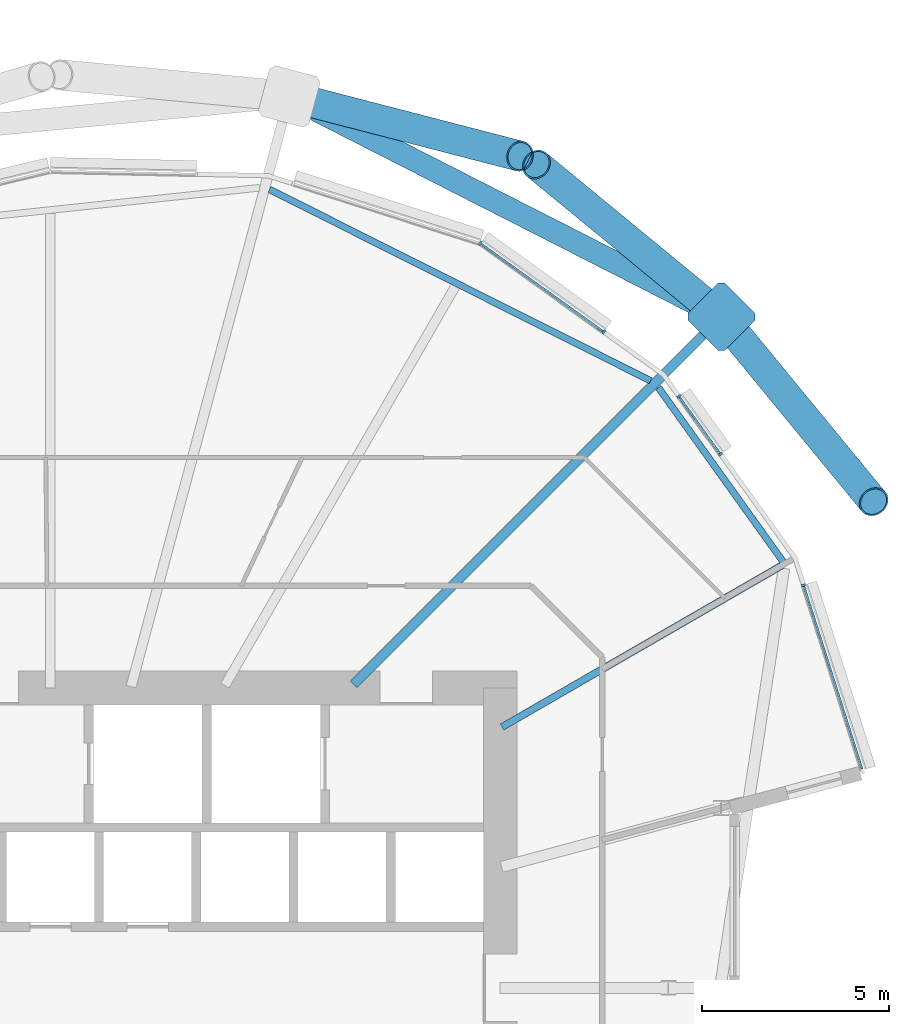
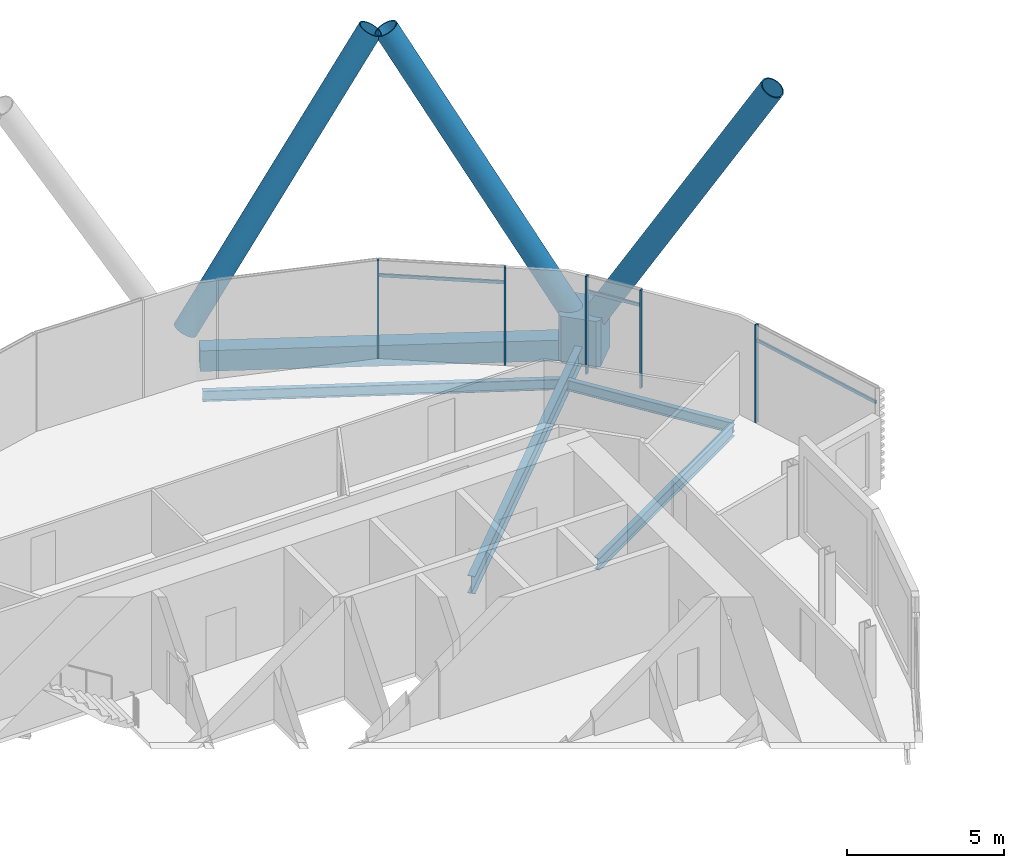
# One storey, part 21 of 40: 12 members, 5 beams, 1 element without a shape of its own.
"""IFC4 building model written with IfcOpenShell, lengths in metres."""

import ifcopenshell
import ifcopenshell.guid

model = None  # the IFC model being written
_history = None  # IfcOwnerHistory: only IFC2X3 demands one
_inside = {}  # id of a spatial element -> (the spatial element, [elements in it])
_under = {}  # id of a project, library or spatial element -> (it, [spatial elements below it])
_declared = {}  # id of a project -> (the project, [libraries it declares])
_typed = {}  # id of a type object -> (the type object, [elements of that type])
_made_of = {}  # id of a material, layer set ... -> (it, [elements and type objects made of it])


def new_model(schema):
    """Start an empty IFC model of exactly this schema.

    Asked for "IFC4X3", IfcOpenShell would pick the latest addendum, in which some entities
    have other attributes; the version numbers below select the first issue.
    IFC2X3 requires an IfcOwnerHistory on every rooted entity: one is made here for all.
    """
    global model, _history
    if schema == "IFC4X3":
        model = ifcopenshell.file(schema_version=(4, 3, 0, 0))
    else:
        model = ifcopenshell.file(schema=schema)
    _inside.clear()
    _under.clear()
    _declared.clear()
    _typed.clear()
    _made_of.clear()
    _history = None
    if model.schema == "IFC2X3":
        org = make("IfcOrganization", Name="unknown")
        user = make(
            "IfcPersonAndOrganization",
            ThePerson=make("IfcPerson", FamilyName="unknown"),
            TheOrganization=org,
        )
        app = make(
            "IfcApplication",
            ApplicationDeveloper=org,
            Version="unknown",
            ApplicationFullName="unknown",
            ApplicationIdentifier="unknown",
        )
        _history = make(
            "IfcOwnerHistory",
            OwningUser=user,
            OwningApplication=app,
            ChangeAction="ADDED",
            CreationDate=0,
        )
    return model


def make(cls, **values):
    """One entity of the class cls with the attributes given. An attribute that is None is left unset."""
    return model.create_entity(
        cls, **{name: value for name, value in values.items() if value is not None}
    )


def rooted(cls, **values):
    """An entity with a GlobalId (a new one), such as an element, a storey or a relation."""
    return make(cls, GlobalId=ifcopenshell.guid.new(), OwnerHistory=_history, **values)


def si_unit(unit_type, name, prefix=None):
    """IfcSIUnit, for example si_unit("LENGTHUNIT", "METRE", prefix="MILLI")."""
    return make("IfcSIUnit", UnitType=unit_type, Prefix=prefix, Name=name)


def assignment(units):
    """IfcUnitAssignment: the units of a project."""
    return None if units is None else make("IfcUnitAssignment", Units=units)


def point(xyz):
    """IfcCartesianPoint."""
    return None if xyz is None else make("IfcCartesianPoint", Coordinates=xyz)


def direction(xyz):
    """IfcDirection."""
    return None if xyz is None else make("IfcDirection", DirectionRatios=xyz)


def frame(location, z_axis=None, x_axis=None):
    """IfcAxis2Placement3D, a coordinate frame: its origin and axes. An axis left out is left unset."""
    return make(
        "IfcAxis2Placement3D",
        Location=point(location),
        Axis=direction(z_axis),
        RefDirection=direction(x_axis),
    )


def frame_2d(location, x_axis=None):
    """IfcAxis2Placement2D, a coordinate frame in the plane: its origin and x axis."""
    return make(
        "IfcAxis2Placement2D", Location=point(location), RefDirection=direction(x_axis)
    )


def origin():
    """The frame at (0, 0, 0) with its axes left unset."""
    return frame((0.0, 0.0, 0.0))


def origin_2d():
    """The frame at (0, 0) in the plane with its x axis left unset."""
    return frame_2d((0.0, 0.0))


def place(relative_to, where):
    """IfcLocalPlacement: puts the frame where relative to a parent placement (None: the world)."""
    return make(
        "IfcLocalPlacement", PlacementRelTo=relative_to, RelativePlacement=where
    )


def context(
    kind, dimensions, precision=None, world=None, true_north=None, identifier=None
):
    """IfcGeometricRepresentationContext, for example the 3D "Model" context."""
    return make(
        "IfcGeometricRepresentationContext",
        ContextIdentifier=identifier,
        ContextType=kind,
        CoordinateSpaceDimension=dimensions,
        Precision=precision,
        WorldCoordinateSystem=world,
        TrueNorth=true_north,
    )


def subcontext(parent, identifier, kind, view, scale=None):
    """IfcGeometricRepresentationSubContext, for example "Body" below "Model"."""
    return make(
        "IfcGeometricRepresentationSubContext",
        ContextIdentifier=identifier,
        ContextType=kind,
        ParentContext=parent,
        TargetScale=scale,
        TargetView=view,
    )


def project(units=None, contexts=None):
    """IfcProject with its units and contexts."""
    return rooted(
        "IfcProject",
        Name="project",
        RepresentationContexts=contexts,
        UnitsInContext=assignment(units),
    )


def spatial(cls, under=None, at=None, **own):
    """A site, building, storey or space (cls), placed at a placement, below another one or the project."""
    s = rooted(cls, ObjectPlacement=at, **own)
    if under is not None:
        _under.setdefault(under.id(), (under, []))[1].append(s)
    return s


def polyline(points):
    """IfcPolyline through the points."""
    return make("IfcPolyline", Points=[point(p) for p in points])


def profile(cls, at=None, kind="AREA", **sizes):
    """A parametric profile (cls). Its sizes go by their IFC names, for example OverallWidth=200.0."""
    return make(cls, ProfileType=kind, Position=at, **sizes)


def rectangle(**sizes):
    """IfcRectangleProfileDef."""
    return profile("IfcRectangleProfileDef", **sizes)


def hollow_rectangle(**sizes):
    """IfcRectangleHollowProfileDef."""
    return profile("IfcRectangleHollowProfileDef", **sizes)


def hollow_circle(**sizes):
    """IfcCircleHollowProfileDef."""
    return profile("IfcCircleHollowProfileDef", **sizes)


def i_section(**sizes):
    """IfcIShapeProfileDef."""
    return profile("IfcIShapeProfileDef", **sizes)


def outline(outer, holes=None, kind="AREA"):
    """IfcArbitraryClosedProfileDef: a profile drawn as a closed curve; with holes, ...WithVoids."""
    if holes is None:
        return make("IfcArbitraryClosedProfileDef", ProfileType=kind, OuterCurve=outer)
    return make(
        "IfcArbitraryProfileDefWithVoids",
        ProfileType=kind,
        OuterCurve=outer,
        InnerCurves=holes,
    )


def extrude(swept, where, along, depth):
    """IfcExtrudedAreaSolid: the profile swept, set in the frame where, extruded along a direction by depth."""
    return make(
        "IfcExtrudedAreaSolid",
        SweptArea=swept,
        Position=where,
        ExtrudedDirection=direction(along),
        Depth=depth,
    )


def shape(context_of_items, identifier, shape_type, items):
    """IfcShapeRepresentation: the items that make up one representation, for example the "Body"."""
    return make(
        "IfcShapeRepresentation",
        ContextOfItems=context_of_items,
        RepresentationIdentifier=identifier,
        RepresentationType=shape_type,
        Items=items,
    )


def material(Name=None, Category=None):
    """IfcMaterial."""
    return make("IfcMaterial", Name=Name, Category=Category)


def material_profile(
    of_material, cross_section, Name=None, Category=None, Priority=None
):
    """IfcMaterialProfile: a cross section and its material."""
    return make(
        "IfcMaterialProfile",
        Name=Name,
        Material=of_material,
        Profile=cross_section,
        Priority=Priority,
        Category=Category,
    )


def profile_set(profiles, Name=None, composite=None):
    """IfcMaterialProfileSet."""
    return make(
        "IfcMaterialProfileSet",
        Name=Name,
        MaterialProfiles=profiles,
        CompositeProfile=composite,
    )


def made_of(thing, what):
    """Note that an element or type object is made of a material, layer set ...; save() writes the relation."""
    if what is not None:
        _made_of.setdefault(what.id(), (what, []))[1].append(thing)
    return thing


def type_object(cls, material=None, **own):
    """A type object (cls), such as IfcWallType, which elements share."""
    return made_of(rooted(cls, **own), material)


def element(
    cls,
    number,
    at=None,
    inside=None,
    cuts=None,
    type_object=None,
    material=None,
    context=None,
    identifier="Body",
    shape_type=None,
    held_by="IfcProductDefinitionShape",
    body=None,
    shapes=None,
    **own,
):
    """One element of the class cls, such as IfcWall. Its Tag is "e" and its number.

    at: its placement. inside: the storey or other place that contains it. cuts: it is an
    opening in that element (IfcRelVoidsElement). A single representation is given by context,
    identifier, shape_type and body (its items); several are given by shapes. held_by: the class
    of the entity that holds the representations. save() writes the other relations.
    """
    e = rooted(cls, Tag="e%d" % number, ObjectPlacement=at, **own)
    if body is not None:
        shapes = [shape(context, identifier, shape_type, body)]
    if shapes is not None:
        e.Representation = make(held_by, Representations=shapes)
    if inside is not None:
        _inside.setdefault(inside.id(), (inside, []))[1].append(e)
    if cuts is not None:
        rooted(
            "IfcRelVoidsElement", RelatingBuildingElement=cuts, RelatedOpeningElement=e
        )
    if type_object is not None:
        _typed.setdefault(type_object.id(), (type_object, []))[1].append(e)
    return made_of(e, material)


def aggregate(whole, parts):
    """IfcRelAggregates: a whole, such as a stair, and the parts it consists of."""
    return rooted("IfcRelAggregates", RelatingObject=whole, RelatedObjects=parts)


def save(model, path):
    """Write the relations noted so far, then the file.

    IfcRelAggregates (storeys below a building ...), IfcRelContainedInSpatialStructure (elements
    in a storey), IfcRelDefinesByType, IfcRelAssociatesMaterial and IfcRelDeclares: one each for
    every whole, place, type object, material and project.
    """
    for whole, parts in _under.values():
        aggregate(whole, parts)
    for where, things in _inside.values():
        rooted(
            "IfcRelContainedInSpatialStructure",
            RelatedElements=things,
            RelatingStructure=where,
        )
    for kind, things in _typed.values():
        rooted("IfcRelDefinesByType", RelatedObjects=things, RelatingType=kind)
    for what, things in _made_of.values():
        rooted("IfcRelAssociatesMaterial", RelatedObjects=things, RelatingMaterial=what)
    for by, libraries in _declared.values():
        rooted("IfcRelDeclares", RelatingContext=by, RelatedDefinitions=libraries)
    model.write(path)


model = new_model("IFC4")

# Units and contexts
model_context = context("Model", 3, precision=1e-05, world=origin(), true_north=direction((0.0, 1.0)))
body_context = subcontext(model_context, "Body", "Model", "MODEL_VIEW")
ifc_project = project(units=[si_unit("LENGTHUNIT", "METRE"), si_unit("AREAUNIT", "SQUARE_METRE"), si_unit("VOLUMEUNIT", "CUBIC_METRE"), si_unit("PLANEANGLEUNIT", "RADIAN"), si_unit("MASSUNIT", "GRAM", prefix="KILO")], contexts=[model_context])

# Site, building, storey
site_placement = place(None, origin())
site = spatial("IfcSite", under=ifc_project, at=site_placement, CompositionType="ELEMENT")
building_placement = place(site_placement, origin())
building = spatial("IfcBuilding", under=site, at=building_placement, Name="Rimbun Link Towers", CompositionType="ELEMENT")
storey_placement = place(building_placement, frame((0.0, 0.0, 52.800048828125)))
storey = spatial("IfcBuildingStorey", under=building, at=storey_placement, Name="L12", CompositionType="ELEMENT", Elevation=52.800048828125)

# Curtain wall, members
ifc_material_1 = material(Name="Aluminium 6063-T6 and low-iron glass", Category="aluminium")
curtain_wall_type = type_object("IfcCurtainWallType", Name="CW1 unitised vision wall", PredefinedType="NOTDEFINED", material=ifc_material_1)
curtain_wall_placement = place(storey_placement, origin())
curtain_wall = element("IfcCurtainWall", 1, at=curtain_wall_placement, inside=storey, type_object=curtain_wall_type, Name="CW1 L12 T2", PredefinedType="NOTDEFINED")
ifc_material_2 = material(Name="Aluminium 6063-T6", Category="aluminium")
ifc_material_profile_1 = material_profile(ifc_material_2, rectangle(XDim=0.1201171875, YDim=0.06005859375, at=origin_2d()), Name="MULLION 60X120")
ifc_profile_set_1 = profile_set([ifc_material_profile_1], Name="Aluminium 6063-T6")
member_type_1 = type_object("IfcMemberType", Name="CW1 mullion 60X120", PredefinedType="MULLION", material=ifc_profile_set_1)
member_1_placement = place(storey_placement, frame((43.21533203125, 19.865478515625, 0.0), z_axis=(0.0, 0.0, 1.0), x_axis=(0.448573554472, 0.89374591816, 0.0)))
member_1 = element("IfcMember", 2, at=member_1_placement, type_object=member_type_1, Name="CW1 mullion", PredefinedType="MULLION", context=body_context, shape_type="SweptSolid", body=[
    extrude(rectangle(XDim=0.1201171875, YDim=0.06005859375, at=origin_2d()), origin(), (0.0, 0.0, 1.0), 3.800048828125),
])
member_2_placement = place(storey_placement, frame((46.51416015625, 17.499267578125, 0.0), z_axis=(0.0, 0.0, 1.0), x_axis=(0.583004026034, 0.812469264421, 0.0)))
member_2 = element("IfcMember", 3, at=member_2_placement, type_object=member_type_1, Name="CW1 mullion", PredefinedType="MULLION", context=body_context, shape_type="SweptSolid", body=[
    extrude(rectangle(XDim=0.1201171875, YDim=0.06005859375, at=origin_2d()), origin(), (0.0, 0.0, 1.0), 3.800048828125),
])
member_3_placement = place(storey_placement, frame((51.846435546875, 10.741943359375, 0.0), z_axis=(0.0, 0.0, 1.0), x_axis=(0.952967205153, 0.303073433186, 0.0)))
member_3 = element("IfcMember", 4, at=member_3_placement, type_object=member_type_1, Name="CW1 mullion", PredefinedType="MULLION", context=body_context, shape_type="SweptSolid", body=[
    extrude(rectangle(XDim=0.1201171875, YDim=0.06005859375, at=origin_2d()), origin(), (0.0, 0.0, 1.0), 3.800048828125),
])
member_4_placement = place(storey_placement, frame((48.5205078125, 15.77978515625, 0.0), z_axis=(0.0, 0.0, 1.0), x_axis=(0.812469264421, 0.583004026034, 0.0)))
member_4 = element("IfcMember", 5, at=member_4_placement, type_object=member_type_1, Name="CW1 mullion", PredefinedType="MULLION", context=body_context, shape_type="SweptSolid", body=[
    extrude(rectangle(XDim=0.1201171875, YDim=0.06005859375, at=origin_2d()), origin(), (0.0, 0.0, 1.0), 3.800048828125),
])
member_5_placement = place(storey_placement, frame((49.62841796875, 14.23583984375, 0.0), z_axis=(0.0, 0.0, 1.0), x_axis=(0.812469264421, 0.583004026034, 0.0)))
member_5 = element("IfcMember", 6, at=member_5_placement, type_object=member_type_1, Name="CW1 mullion", PredefinedType="MULLION", context=body_context, shape_type="SweptSolid", body=[
    extrude(rectangle(XDim=0.1201171875, YDim=0.06005859375, at=origin_2d()), origin(), (0.0, 0.0, 1.0), 3.800048828125),
])
ifc_material_3 = material(Name="Aluminium 6063-T6", Category="aluminium")
ifc_material_profile_2 = material_profile(ifc_material_3, rectangle(XDim=0.06005859375, YDim=0.1201171875, at=origin_2d()), Name="TRANSOM 60X120")
ifc_profile_set_2 = profile_set([ifc_material_profile_2], Name="Aluminium 6063-T6")
member_type_2 = type_object("IfcMemberType", Name="CW1 transom 60X120", PredefinedType="USERDEFINED", material=ifc_profile_set_2)
member_6_placement = place(storey_placement, frame((43.24658203125, 19.841552734375, 3.199951171875), z_axis=(0.812479031967, -0.582990413826, 0.0), x_axis=(0.582990413826, 0.812479031967, 0.0)))
member_6 = element("IfcMember", 7, at=member_6_placement, type_object=member_type_2, Name="CW1 transom", ObjectType="TRANSOM", PredefinedType="USERDEFINED", context=body_context, shape_type="SweptSolid", body=[
    extrude(rectangle(XDim=0.06005859375, YDim=0.1201171875, at=origin_2d()), origin(), (0.0, 0.0, 1.0), 3.990478515625),
])
member_7_placement = place(storey_placement, frame((51.853515625, 10.712646484375, 3.199951171875), z_axis=(0.303101253702, -0.95295835691, 0.0), x_axis=(0.95295835691, 0.303101253702, 0.0)))
member_7 = element("IfcMember", 8, at=member_7_placement, type_object=member_type_2, Name="CW1 transom", ObjectType="TRANSOM", PredefinedType="USERDEFINED", context=body_context, shape_type="SweptSolid", body=[
    extrude(rectangle(XDim=0.06005859375, YDim=0.1201171875, at=origin_2d()), origin(), (0.0, 0.0, 1.0), 5.1171875),
])
member_8_placement = place(storey_placement, frame((48.536376953125, 15.75439453125, 3.199951171875), z_axis=(0.582993545844, -0.812476784594, 0.0), x_axis=(0.812476784594, 0.582993545844, 0.0)))
member_8 = element("IfcMember", 9, at=member_8_placement, type_object=member_type_2, Name="CW1 transom", ObjectType="TRANSOM", PredefinedType="USERDEFINED", context=body_context, shape_type="SweptSolid", body=[
    extrude(rectangle(XDim=0.06005859375, YDim=0.1201171875, at=origin_2d()), origin(), (0.0, 0.0, 1.0), 1.840576171875),
])
aggregate(curtain_wall, [member_1, member_2, member_3, member_4, member_5, member_6, member_7, member_8])

# Members
ifc_material_4 = material(Name="Steel S460NH", Category="steel")
ifc_material_profile_3 = material_profile(ifc_material_4, hollow_circle(Radius=0.406494140625, WallThickness=0.0400390625, at=origin_2d()), Name="Diagrid diagonal CHS 813x40")
ifc_profile_set_3 = profile_set([ifc_material_profile_3], Name="Steel S460NH")
member_type_3 = type_object("IfcMemberType", Name="Diagrid diagonal CHS 813x40", PredefinedType="BRACE", material=ifc_profile_set_3)
for number, where, z_axis, x_axis, name in (
    (10, (49.814453125, 17.710205078125, 0.431884765625), (0.319785855763, -0.388896277981, 0.864000400131), (0.772399476438, 0.635137031513, 0.0), "Diagrid diagonal T2 L12-L15 00a"),
    (11, (49.460205078125, 18.064453125, 0.431884765625), (-0.388896277981, 0.319785855763, 0.864000400131), (-0.635137031513, -0.772399476438, 0.0), "Diagrid diagonal T2 L12-L15 00b"),
):
    element("IfcMember", number, at=place(storey_placement, frame(where, z_axis=z_axis, x_axis=x_axis)), inside=storey, type_object=member_type_3, Name=name, PredefinedType="BRACE", context=body_context, shape_type="SweptSolid", body=[
        extrude(hollow_circle(Radius=0.406494140625, WallThickness=0.0400390625, at=origin_2d()), origin(), (0.0, 0.0, 1.0), 12.194580078125),
    ])
member_9_placement = place(storey_placement, frame((38.365234375, 23.71875, 0.432373046875), z_axis=(0.485698138162, -0.125769537283, 0.865031411035), x_axis=(0.250677892024, 0.968070552414, 0.0)))
element("IfcMember", 12, at=member_9_placement, inside=storey, type_object=member_type_3, Name="Diagrid diagonal T2 L12-L15 02a", PredefinedType="BRACE", context=body_context, shape_type="SweptSolid", body=[
    extrude(hollow_circle(Radius=0.406494140625, WallThickness=0.0400390625, at=origin_2d()), origin(), (0.0, 0.0, 1.0), 12.178955078125),
])
ifc_material_5 = material(Name="Cast steel G20Mn5+QT, Rp0.2 300 MPa", Category="steel")
ifc_material_profile_4 = material_profile(ifc_material_5, outline(polyline([(0.699951171875, -0.570068359375), (0.699951171875, 0.570068359375), (0.570068359375, 0.699951171875), (-0.570068359375, 0.699951171875), (-0.699951171875, 0.570068359375), (-0.699951171875, -0.570068359375), (-0.570068359375, -0.699951171875), (0.570068359375, -0.699951171875), (0.699951171875, -0.570068359375)])), Name="NODE 1400x1400")
ifc_profile_set_4 = profile_set([ifc_material_profile_4], Name="Cast steel G20Mn5+QT, Rp0.2 300 MPa")
member_type_4 = type_object("IfcMemberType", Name="Diagrid node cast 1400", PredefinedType="USERDEFINED", material=ifc_profile_set_4)
member_10_placement = place(storey_placement, frame((49.654541015625, 17.904541015625, -0.900146484375), z_axis=(0.0, 0.0, 1.0), x_axis=(0.707106781187, 0.707106781187, 0.0)))
element("IfcMember", 13, at=member_10_placement, inside=storey, type_object=member_type_4, Name="Diagrid node L12 00", ObjectType="Diagrid node", PredefinedType="USERDEFINED", context=body_context, shape_type="SweptSolid", body=[
    extrude(outline(polyline([(0.699951171875, -0.570068359375), (0.699951171875, 0.570068359375), (0.570068359375, 0.699951171875), (-0.570068359375, 0.699951171875), (-0.699951171875, 0.570068359375), (-0.699951171875, -0.570068359375), (-0.570068359375, -0.699951171875), (0.570068359375, -0.699951171875), (0.699951171875, -0.570068359375)])), origin(), (0.0, 0.0, 1.0), 1.800048828125),
])

# Beams
ifc_material_6 = material(Name="Steel S355J2", Category="steel")
ifc_material_profile_5 = material_profile(ifc_material_6, hollow_rectangle(XDim=0.60009765625, YDim=0.800048828125, WallThickness=0.0400390625, at=origin_2d()), Name="Exoskeleton ring girder BOX 600x800x40")
ifc_profile_set_5 = profile_set([ifc_material_profile_5], Name="Steel S355J2")
beam_type_1 = type_object("IfcBeamType", Name="Exoskeleton ring girder BOX 600x800x40", PredefinedType="BEAM", material=ifc_profile_set_5)
beam_1_placement = place(storey_placement, frame((49.031005859375, 18.222412109375, -0.56005859375), z_axis=(-0.890970406522, 0.454061377682, 0.0), x_axis=(-0.454061377682, -0.890970406522, 0.0)))
element("IfcBeam", 14, at=beam_1_placement, inside=storey, type_object=beam_type_1, Name="Exoskeleton ring girder L12 00", PredefinedType="BEAM", context=body_context, shape_type="SweptSolid", body=[
    extrude(hollow_rectangle(XDim=0.60009765625, YDim=0.800048828125, WallThickness=0.0400390625, at=origin_2d()), origin(), (0.0, 0.0, 1.0), 11.54345703125),
])
ifc_material_7 = material(Name="Steel S355J2", Category="steel")
ifc_material_profile_6 = material_profile(ifc_material_7, i_section(OverallWidth=0.177978515625, OverallDepth=0.406494140625, WebThickness=0.0078125, FlangeThickness=0.0126953125, at=origin_2d()), Name="UB 406x178x60")
ifc_profile_set_6 = profile_set([ifc_material_profile_6], Name="Steel S355J2")
beam_type_2 = type_object("IfcBeamType", Name="UB 406x178x60", PredefinedType="BEAM", material=ifc_profile_set_6)
beam_2_placement = place(storey_placement, frame((47.76416015625, 16.19482421875, -0.36328125), z_axis=(-0.893752358282, 0.44856072283, 0.0), x_axis=(-0.44856072283, -0.893752358282, 0.0)))
element("IfcBeam", 15, at=beam_2_placement, inside=storey, type_object=beam_type_2, Name="Edge beam T2 L12 00-02", PredefinedType="BEAM", context=body_context, shape_type="SweptSolid", body=[
    extrude(i_section(OverallWidth=0.177978515625, OverallDepth=0.406494140625, WebThickness=0.0078125, FlangeThickness=0.0126953125, at=origin_2d()), origin(), (0.0, 0.0, 1.0), 11.376953125),
])
beam_3_placement = place(storey_placement, frame((51.339599609375, 11.311279296875, -0.36328125), z_axis=(-0.582358711363, 0.81293193522, 0.0), x_axis=(-0.81293193522, -0.582358711363, 0.0)))
element("IfcBeam", 16, at=beam_3_placement, inside=storey, type_object=beam_type_2, Name="Edge beam T2 L12 23", PredefinedType="BEAM", context=body_context, shape_type="SweptSolid", body=[
    extrude(i_section(OverallWidth=0.177978515625, OverallDepth=0.406494140625, WebThickness=0.0078125, FlangeThickness=0.0126953125, at=origin_2d()), origin(), (0.0, 0.0, 1.0), 5.78857421875),
])
ifc_material_8 = material(Name="Steel S355J2", Category="steel")
ifc_material_profile_7 = material_profile(ifc_material_8, i_section(OverallWidth=0.18994140625, OverallDepth=0.453369140625, WebThickness=0.008544921875, FlangeThickness=0.0126953125, at=origin_2d()), Name="UB 457x191x67")
ifc_profile_set_7 = profile_set([ifc_material_profile_7], Name="Steel S355J2")
beam_type_3 = type_object("IfcBeamType", Name="UB 457x191x67", PredefinedType="BEAM", material=ifc_profile_set_7)
beam_4_placement = place(storey_placement, frame((43.79833984375, 6.9560546875, -0.38671875), z_axis=(0.866015284814, 0.500017526161, 0.0), x_axis=(-0.500017526161, 0.866015284814, 0.0)))
element("IfcBeam", 17, at=beam_4_placement, inside=storey, type_object=beam_type_3, Name="Radial beam T2 L12 23", PredefinedType="BEAM", context=body_context, shape_type="SweptSolid", body=[
    extrude(i_section(OverallWidth=0.18994140625, OverallDepth=0.453369140625, WebThickness=0.008544921875, FlangeThickness=0.0126953125, at=origin_2d()), origin(), (0.0, 0.0, 1.0), 8.618408203125),
])
ifc_material_9 = material(Name="Steel S355J2", Category="steel")
ifc_material_profile_8 = material_profile(ifc_material_9, i_section(OverallWidth=0.253662109375, OverallDepth=0.68359375, WebThickness=0.012451171875, FlangeThickness=0.01904296875, at=origin_2d()), Name="UB 686x254x140")
ifc_profile_set_8 = profile_set([ifc_material_profile_8], Name="Steel S355J2")
beam_type_4 = type_object("IfcBeamType", Name="UB 686x254x140", PredefinedType="BEAM", material=ifc_profile_set_8)
beam_5_placement = place(storey_placement, frame((39.84033203125, 8.09033203125, -0.501708984375), z_axis=(0.707106781187, 0.707106781187, 0.0), x_axis=(-0.707106781187, 0.707106781187, 0.0)))
element("IfcBeam", 18, at=beam_5_placement, inside=storey, type_object=beam_type_4, Name="Radial beam T2 L12 00", PredefinedType="BEAM", context=body_context, shape_type="SweptSolid", body=[
    extrude(i_section(OverallWidth=0.253662109375, OverallDepth=0.68359375, WebThickness=0.012451171875, FlangeThickness=0.01904296875, at=origin_2d()), origin(), (0.0, 0.0, 1.0), 13.37939453125),
])

save(model, "model.ifc")
